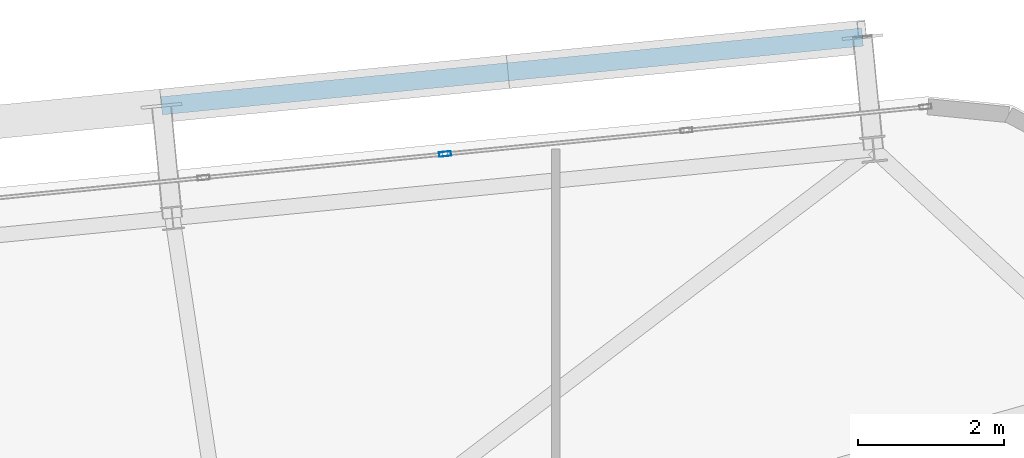
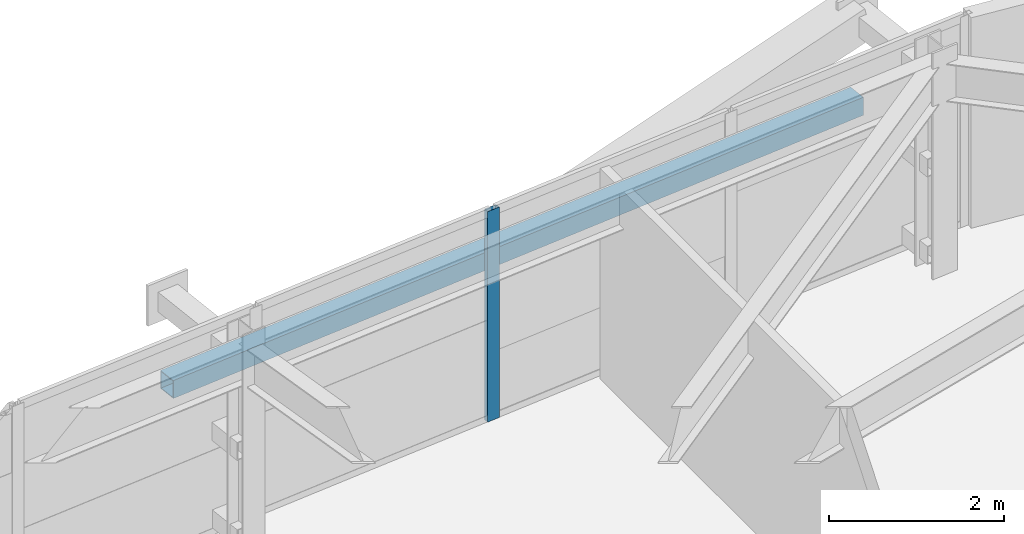
# One storey, part 33 of 52: 2 members, 1 element without a shape of its own.
"""IFC4 building model written with IfcOpenShell, lengths in metres."""

from ifc_helpers import new_model, si_unit, direction, frame, origin, origin_2d, place, context, subcontext, project, spatial, hollow_rectangle, extrude, source, transform, mapped, material, layer, layer_set, material_profile, profile_set, type_object, element, aggregate, save


model = new_model("IFC4")

# Units and contexts
model_context = context("Model", 3, precision=1e-05, world=origin(), true_north=direction((0.0, 1.0)))
body_context = subcontext(model_context, "Body", "Model", "MODEL_VIEW")
ifc_project = project(units=[si_unit("LENGTHUNIT", "METRE"), si_unit("AREAUNIT", "SQUARE_METRE"), si_unit("VOLUMEUNIT", "CUBIC_METRE"), si_unit("PLANEANGLEUNIT", "RADIAN"), si_unit("MASSUNIT", "GRAM", prefix="KILO")], contexts=[model_context])

# Site, building, storey
site_placement = place(None, origin())
site = spatial("IfcSite", under=ifc_project, at=site_placement, CompositionType="ELEMENT")
building_placement = place(site_placement, origin())
building = spatial("IfcBuilding", under=site, at=building_placement, Name="Taldren Reach Tower", CompositionType="ELEMENT")
storey_placement = place(building_placement, frame((0.0, 0.0, 93.449951171875)))
storey = spatial("IfcBuildingStorey", under=building, at=storey_placement, Name="L28", CompositionType="ELEMENT", Elevation=93.449951171875)

# Member
ifc_material_1 = material(Name="Steel Gr 350 (C350L0)", Category="steel")
ifc_material_profile_1 = material_profile(ifc_material_1, hollow_rectangle(XDim=0.25, YDim=0.25, WallThickness=0.010009765625, at=origin_2d()), Name="250x250x10.0SHS")
ifc_profile_set_1 = profile_set([ifc_material_profile_1], Name="Steel Gr 350 (C350L0)")
member_type_1 = type_object("IfcMemberType", Name="MB-POST250", PredefinedType="POST", material=ifc_profile_set_1)
shared_shape_1 = source(origin(), body_context, "Body", "SweptSolid", [
    extrude(hollow_rectangle(XDim=0.25, YDim=0.25, WallThickness=0.010009765625, at=origin_2d()), origin(), (0.0, 0.0, 1.0), 9.679931640625),
])
member_1_placement = place(storey_placement, frame((49.980712890625, 39.27783203125, 1.43505859375), z_axis=(0.995227612658, 0.097580730699, 0.0), x_axis=(-0.097580730699, 0.995227612658, 0.0)))
element("IfcMember", 1, at=member_1_placement, inside=storey, type_object=member_type_1, Name="Exoskeleton mid-height ring chord B2-N5 L28", PredefinedType="POST", context=body_context, shape_type="MappedRepresentation", body=[
    mapped(shared_shape_1, transform((0.0, 0.0, 0.0), scale=1.0)),
])

# Curtain wall, member
ifc_material_2 = material(Name="Aluminium and Low-E Glass Unitised System", Category="aluminium")
ifc_layer = layer(ifc_material_2, 0.159912109375)
ifc_layer_set = layer_set([ifc_layer], Name="Aluminium and Low-E Glass Unitised System")
curtain_wall_type = type_object("IfcCurtainWallType", Name="CW-SYS-3", PredefinedType="NOTDEFINED", material=ifc_layer_set)
curtain_wall_placement = place(storey_placement, origin())
curtain_wall = element("IfcCurtainWall", 2, at=curtain_wall_placement, inside=storey, type_object=curtain_wall_type, Name="Unitised curtain wall CW-L28-N", PredefinedType="NOTDEFINED")
ifc_material_3 = material(Name="Anodised Aluminium 6063-T6", Category="aluminium")
ifc_material_profile_2 = material_profile(ifc_material_3, hollow_rectangle(XDim=0.06494140625, YDim=0.1650390625, WallThickness=0.00390625, at=origin_2d()), Name="ALU-165x65x4RHS")
ifc_profile_set_2 = profile_set([ifc_material_profile_2], Name="Anodised Aluminium 6063-T6")
member_type_2 = type_object("IfcMemberType", Name="CW-MUL-165", PredefinedType="MULLION", material=ifc_profile_set_2)
shared_shape_2 = source(origin(), body_context, "Body", "SweptSolid", [
    extrude(hollow_rectangle(XDim=0.06494140625, YDim=0.1650390625, WallThickness=0.00390625, at=origin_2d()), origin(), (0.0, 0.0, 1.0), 2.929931640625),
])
member_2_placement = place(storey_placement, frame((53.87744140625, 38.614990234375, 0.0), z_axis=(0.0, 0.0, 1.0), x_axis=(0.097582999046, -0.995227390247, 0.0)))
member_2 = element("IfcMember", 3, at=member_2_placement, type_object=member_type_2, Name="CW-3 mullion 3", PredefinedType="MULLION", context=body_context, shape_type="MappedRepresentation", body=[
    mapped(shared_shape_2, transform((0.0, 0.0, 0.0), scale=1.0)),
])
aggregate(curtain_wall, [member_2])

save(model, "model.ifc")
